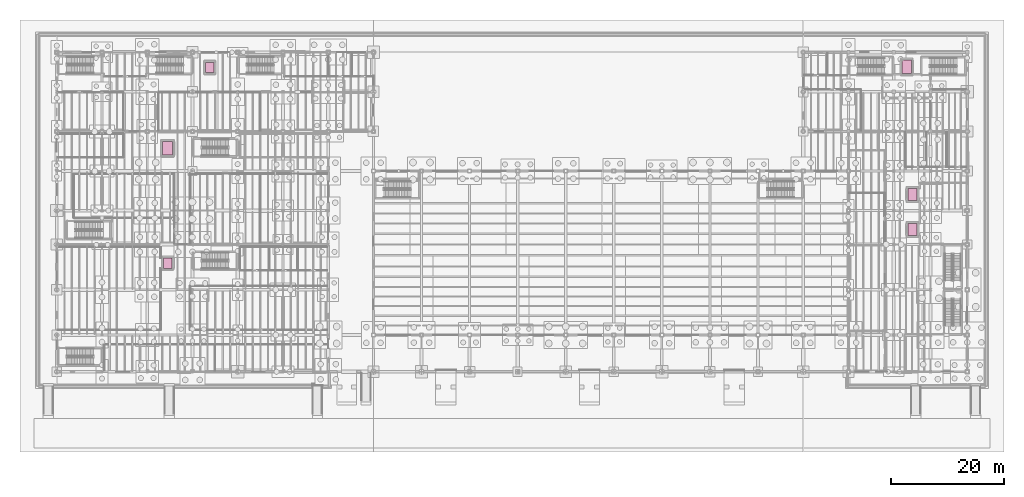
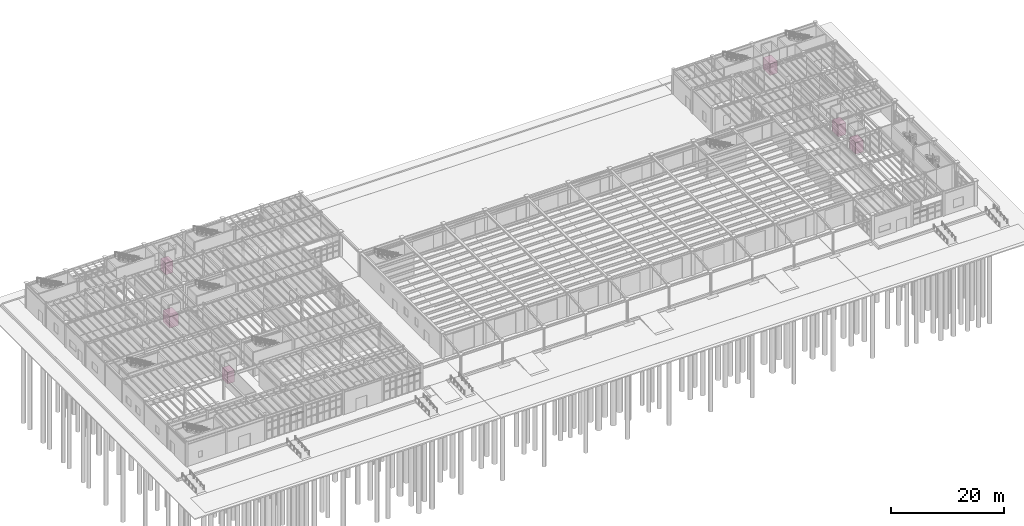
# One storey, part 86 of 86: 6 transport elements.
"""IFC4 building model written with IfcOpenShell, lengths in metres."""

from ifc_helpers import new_model, si_unit, direction, frame, origin, origin_2d, place, context, subcontext, project, spatial, rectangle, extrude, material, type_object, element, save


model = new_model("IFC4")

# Units and contexts
model_context = context("Model", 3, precision=1e-05, world=origin(), true_north=direction((0.0, 1.0)))
body_context = subcontext(model_context, "Body", "Model", "MODEL_VIEW")
ifc_project = project(units=[si_unit("LENGTHUNIT", "METRE"), si_unit("AREAUNIT", "SQUARE_METRE"), si_unit("VOLUMEUNIT", "CUBIC_METRE"), si_unit("PLANEANGLEUNIT", "RADIAN"), si_unit("MASSUNIT", "GRAM", prefix="KILO"), si_unit("THERMODYNAMICTEMPERATUREUNIT", "KELVIN"), si_unit("POWERUNIT", "WATT")], contexts=[model_context])

# Site, building, storey
site_placement = place(None, origin())
site = spatial("IfcSite", under=ifc_project, at=site_placement, CompositionType="ELEMENT")
building_placement = place(site_placement, origin())
building = spatial("IfcBuilding", under=site, at=building_placement, Name="Zhenchuan Central Fire Station", CompositionType="ELEMENT")
storey_placement = place(building_placement, frame((0.0, 0.0, 0.449951171875)))
storey = spatial("IfcBuildingStorey", under=building, at=storey_placement, Name="L01", CompositionType="ELEMENT", Elevation=0.449951171875)

# Transport elements
ifc_material = material(Name="Brushed stainless steel elevator car", Category="steel")
transport_element_type_1 = type_object("IfcTransportElementType", Name="LFT-CRW", PredefinedType="ELEVATOR", material=ifc_material)
for number, where, z_axis, x_axis, name in (
    (1, (27.050048828125, 53.800048828125, 0.0), (0.0, 0.0, 1.0), (1.0, 0.0, 0.0), "Crew Quarters Passenger Lift LP-03"),
    (2, (19.64990234375, 19.199951171875, 0.0), (0.0, 0.0, 1.0), (1.0, 0.0, 0.0), "Public Gallery Accessible Lift LP-04"),
):
    element("IfcTransportElement", number, at=place(storey_placement, frame(where, z_axis=z_axis, x_axis=x_axis)), inside=storey, type_object=transport_element_type_1, Name=name, PredefinedType="ELEVATOR", context=body_context, shape_type="SweptSolid", body=[
        extrude(rectangle(XDim=1.5, YDim=1.800048828125, at=origin_2d()), origin(), (0.0, 0.0, 1.0), 2.5),
    ])
transport_element_type_2 = type_object("IfcTransportElementType", Name="LFT-FF", PredefinedType="ELEVATOR", material=ifc_material)
transport_element_1_placement = place(storey_placement, frame((150.300048828125, 53.89990234375, 0.0), z_axis=(0.0, 0.0, 1.0), x_axis=(1.0, 0.0, 0.0)))
element("IfcTransportElement", 3, at=transport_element_1_placement, inside=storey, type_object=transport_element_type_2, Name="Firefighting and Stretcher Lift FL-01", PredefinedType="ELEVATOR", context=body_context, shape_type="SweptSolid", body=[
    extrude(rectangle(XDim=1.60009765625, YDim=2.39990234375, at=origin_2d()), origin(), (0.0, 0.0, 1.0), 2.5),
])
transport_element_type_3 = type_object("IfcTransportElementType", Name="LFT-GDS", PredefinedType="ELEVATOR", material=ifc_material)
transport_element_2_placement = place(storey_placement, frame((19.60009765625, 39.5, 0.0), z_axis=(0.0, 0.0, 1.0), x_axis=(1.0, 0.0, 0.0)))
element("IfcTransportElement", 4, at=transport_element_2_placement, inside=storey, type_object=transport_element_type_3, Name="Fleet Workshop Goods Lift LG-01", PredefinedType="ELEVATOR", context=body_context, shape_type="SweptSolid", body=[
    extrude(rectangle(XDim=1.800048828125, YDim=2.39990234375, at=origin_2d()), origin(), (0.0, 0.0, 1.0), 2.5),
])
transport_element_type_4 = type_object("IfcTransportElementType", Name="LFT-HQ", PredefinedType="ELEVATOR", material=ifc_material)
for number, where, z_axis, x_axis, name in (
    (5, (151.300048828125, 25.14990234375, 0.0), (0.0, 0.0, 1.0), (1.0, 0.0, 0.0), "Headquarters Passenger Lift LP-01"),
    (6, (151.300048828125, 31.35009765625, 0.0), (0.0, 0.0, 1.0), (1.0, 0.0, 0.0), "Headquarters Passenger Lift LP-02"),
):
    element("IfcTransportElement", number, at=place(storey_placement, frame(where, z_axis=z_axis, x_axis=x_axis)), inside=storey, type_object=transport_element_type_4, Name=name, PredefinedType="ELEVATOR", context=body_context, shape_type="SweptSolid", body=[
        extrude(rectangle(XDim=1.60009765625, YDim=2.10009765625, at=origin_2d()), origin(), (0.0, 0.0, 1.0), 2.5),
    ])

save(model, "model.ifc")
